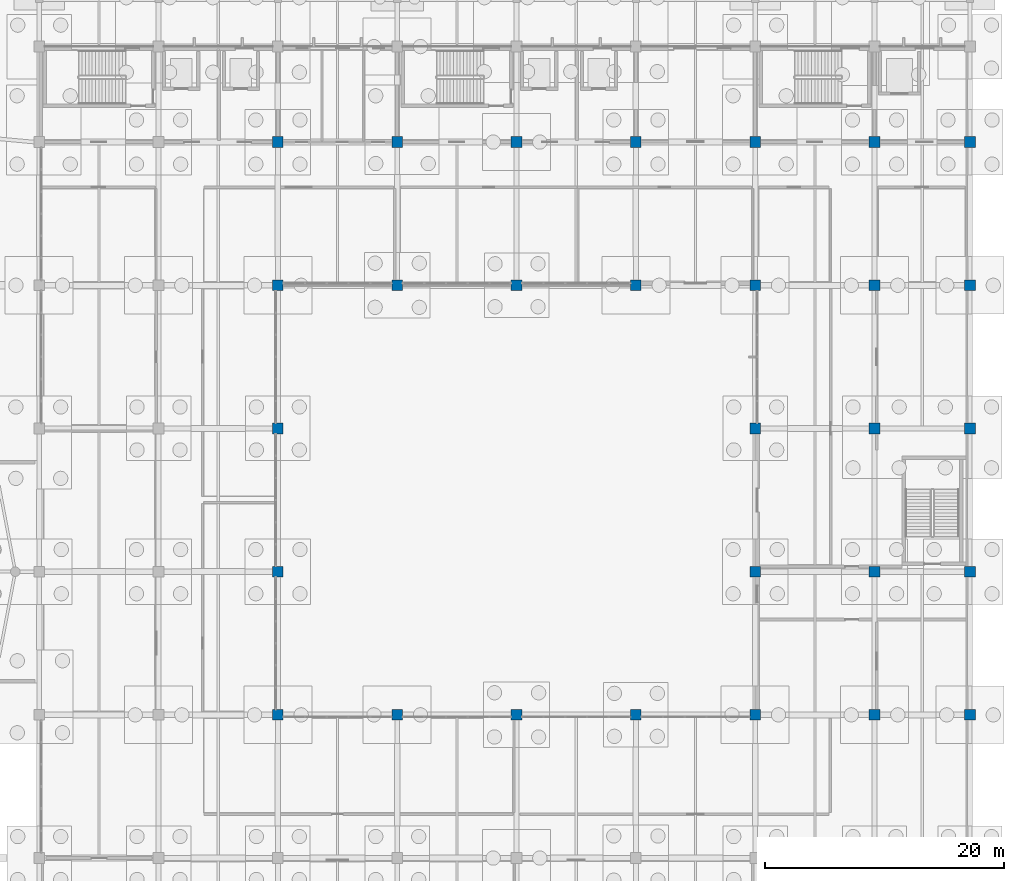
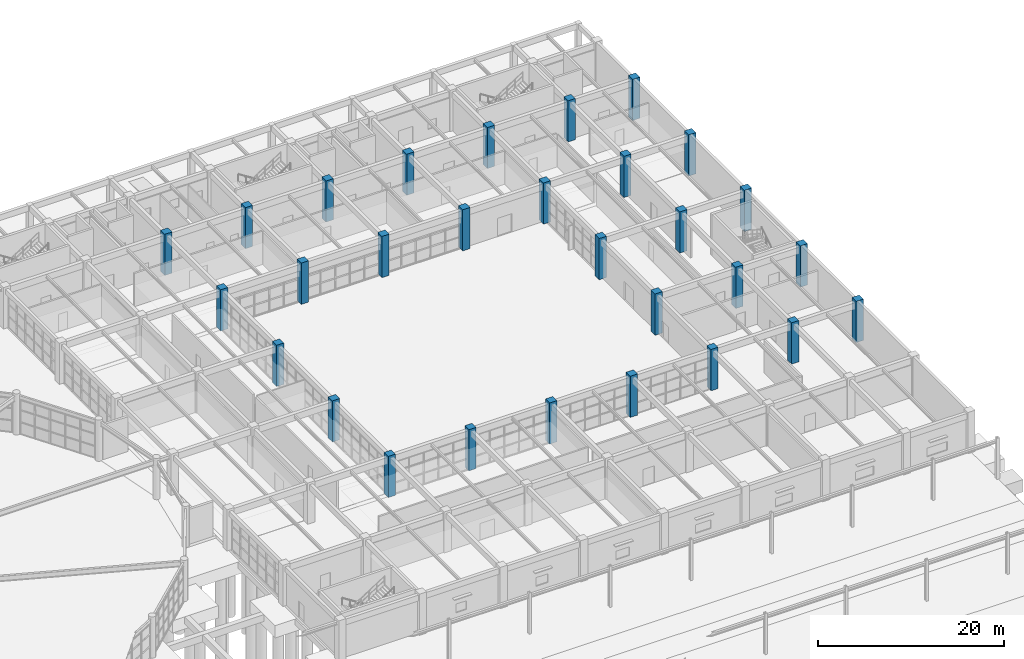
# One storey, part 26 of 99: 29 columns.
"""IFC4 building model written with IfcOpenShell, lengths in metres."""

from ifc_helpers import new_model, si_unit, direction, frame, origin, origin_2d, place, context, subcontext, project, spatial, rectangle, extrude, material, material_profile, profile_set, type_object, element, save


model = new_model("IFC4")

# Units and contexts
model_context = context("Model", 3, precision=1e-05, world=origin(), true_north=direction((0.0, 1.0)))
body_context = subcontext(model_context, "Body", "Model", "MODEL_VIEW")
ifc_project = project(units=[si_unit("LENGTHUNIT", "METRE"), si_unit("AREAUNIT", "SQUARE_METRE"), si_unit("VOLUMEUNIT", "CUBIC_METRE"), si_unit("PLANEANGLEUNIT", "RADIAN"), si_unit("MASSUNIT", "GRAM", prefix="KILO")], contexts=[model_context])

# Site, building, storey
site_placement = place(None, origin())
site = spatial("IfcSite", under=ifc_project, at=site_placement, CompositionType="ELEMENT")
building_placement = place(site_placement, origin())
building = spatial("IfcBuilding", under=site, at=building_placement, Name="Kivolera Central Railway Station", CompositionType="ELEMENT")
storey_placement = place(building_placement, origin())
storey = spatial("IfcBuildingStorey", under=building, at=storey_placement, Name="L00", CompositionType="ELEMENT", Elevation=0.0)

# Columns
ifc_material = material(Name="Concrete C40/50", Category="concrete")
ifc_material_profile = material_profile(ifc_material, rectangle(XDim=0.89990234375, YDim=0.89990234375, at=origin_2d()), Name="RC 900x900")
ifc_profile_set = profile_set([ifc_material_profile], Name="Concrete C40/50")
column_type = type_object("IfcColumnType", Name="COL-RC-900", PredefinedType="COLUMN", material=ifc_profile_set)
for number, where, z_axis, x_axis, name in (
    (1, (138.0, 78.0, 0.0), (0.0, 0.0, 1.0), (1.0, 0.0, 0.0), "L00 Wing Column 14-G"),
    (2, (138.0, 90.0, 0.0), (0.0, 0.0, 1.0), (1.0, 0.0, 0.0), "L00 Wing Column 14-H"),
    (3, (138.0, 102.0, 0.0), (0.0, 0.0, 1.0), (1.0, 0.0, 0.0), "L00 Wing Column 14-J"),
    (4, (138.0, 114.0, 0.0), (0.0, 0.0, 1.0), (1.0, 0.0, 0.0), "L00 Wing Column 14-K"),
    (5, (138.0, 126.0, 0.0), (0.0, 0.0, 1.0), (1.0, 0.0, 0.0), "L00 Wing Column 14-L"),
    (6, (148.0, 78.0, 0.0), (0.0, 0.0, 1.0), (1.0, 0.0, 0.0), "L00 Wing Column 15-G"),
    (7, (148.0, 114.0, 0.0), (0.0, 0.0, 1.0), (1.0, 0.0, 0.0), "L00 Wing Column 15-K"),
    (8, (148.0, 126.0, 0.0), (0.0, 0.0, 1.0), (1.0, 0.0, 0.0), "L00 Wing Column 15-L"),
    (9, (158.0, 78.0, 0.0), (0.0, 0.0, 1.0), (1.0, 0.0, 0.0), "L00 Wing Column 16-G"),
    (10, (158.0, 114.0, 0.0), (0.0, 0.0, 1.0), (1.0, 0.0, 0.0), "L00 Wing Column 16-K"),
    (11, (158.0, 126.0, 0.0), (0.0, 0.0, 1.0), (1.0, 0.0, 0.0), "L00 Wing Column 16-L"),
    (12, (168.0, 78.0, 0.0), (0.0, 0.0, 1.0), (1.0, 0.0, 0.0), "L00 Wing Column 17-G"),
    (13, (168.0, 114.0, 0.0), (0.0, 0.0, 1.0), (1.0, 0.0, 0.0), "L00 Wing Column 17-K"),
    (14, (168.0, 126.0, 0.0), (0.0, 0.0, 1.0), (1.0, 0.0, 0.0), "L00 Wing Column 17-L"),
    (15, (178.0, 78.0, 0.0), (0.0, 0.0, 1.0), (1.0, 0.0, 0.0), "L00 Wing Column 18-G"),
    (16, (178.0, 90.0, 0.0), (0.0, 0.0, 1.0), (1.0, 0.0, 0.0), "L00 Wing Column 18-H"),
    (17, (178.0, 102.0, 0.0), (0.0, 0.0, 1.0), (1.0, 0.0, 0.0), "L00 Wing Column 18-J"),
    (18, (178.0, 114.0, 0.0), (0.0, 0.0, 1.0), (1.0, 0.0, 0.0), "L00 Wing Column 18-K"),
    (19, (178.0, 126.0, 0.0), (0.0, 0.0, 1.0), (1.0, 0.0, 0.0), "L00 Wing Column 18-L"),
    (20, (188.0, 78.0, 0.0), (0.0, 0.0, 1.0), (1.0, 0.0, 0.0), "L00 Wing Column 19-G"),
    (21, (188.0, 90.0, 0.0), (0.0, 0.0, 1.0), (1.0, 0.0, 0.0), "L00 Wing Column 19-H"),
    (22, (188.0, 102.0, 0.0), (0.0, 0.0, 1.0), (1.0, 0.0, 0.0), "L00 Wing Column 19-J"),
    (23, (188.0, 114.0, 0.0), (0.0, 0.0, 1.0), (1.0, 0.0, 0.0), "L00 Wing Column 19-K"),
    (24, (188.0, 126.0, 0.0), (0.0, 0.0, 1.0), (1.0, 0.0, 0.0), "L00 Wing Column 19-L"),
    (25, (196.0, 78.0, 0.0), (0.0, 0.0, 1.0), (1.0, 0.0, 0.0), "L00 Wing Column 20-G"),
    (26, (196.0, 90.0, 0.0), (0.0, 0.0, 1.0), (1.0, 0.0, 0.0), "L00 Wing Column 20-H"),
    (27, (196.0, 102.0, 0.0), (0.0, 0.0, 1.0), (1.0, 0.0, 0.0), "L00 Wing Column 20-J"),
    (28, (196.0, 114.0, 0.0), (0.0, 0.0, 1.0), (1.0, 0.0, 0.0), "L00 Wing Column 20-K"),
    (29, (196.0, 126.0, 0.0), (0.0, 0.0, 1.0), (1.0, 0.0, 0.0), "L00 Wing Column 20-L"),
):
    element("IfcColumn", number, at=place(storey_placement, frame(where, z_axis=z_axis, x_axis=x_axis)), inside=storey, type_object=column_type, Name=name, PredefinedType="COLUMN", context=body_context, shape_type="SweptSolid", body=[
        extrude(rectangle(XDim=0.89990234375, YDim=0.89990234375, at=origin_2d()), origin(), (0.0, 0.0, 1.0), 5.39990234375),
    ])

save(model, "model.ifc")
